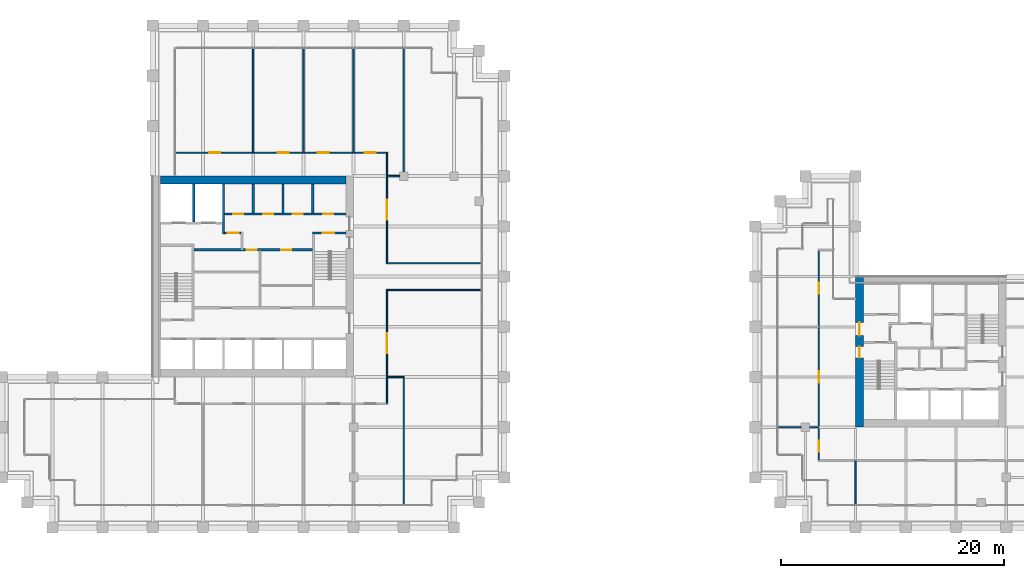
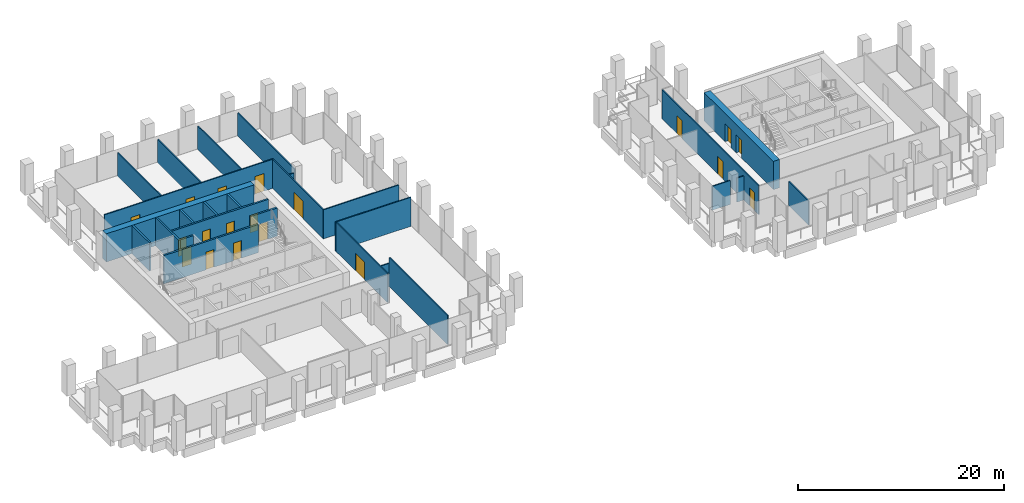
# One storey, part 42 of 46: 27 walls, 19 doors, 19 openings.
"""IFC4 building model written with IfcOpenShell, lengths in metres."""

from ifc_helpers import new_model, si_unit, direction, frame, frame_2d, origin, place, context, subcontext, project, spatial, rectangle, extrude, material, layer, layer_set, type_object, element, fill, save


model = new_model("IFC4")

# Units and contexts
model_context = context("Model", 3, precision=1e-05, world=origin(), true_north=direction((0.0, 1.0)))
body_context = subcontext(model_context, "Body", "Model", "MODEL_VIEW")
ifc_project = project(units=[si_unit("LENGTHUNIT", "METRE"), si_unit("AREAUNIT", "SQUARE_METRE"), si_unit("VOLUMEUNIT", "CUBIC_METRE"), si_unit("PLANEANGLEUNIT", "RADIAN"), si_unit("MASSUNIT", "GRAM", prefix="KILO")], contexts=[model_context])

# Site, building, storey
site_placement = place(None, origin())
site = spatial("IfcSite", under=ifc_project, at=site_placement, CompositionType="ELEMENT")
building_placement = place(site_placement, origin())
building = spatial("IfcBuilding", under=site, at=building_placement, Name="Altepetl Exchange Towers", CompositionType="ELEMENT")
storey_placement = place(building_placement, frame((0.0, 0.0, 120.800048828125)))
storey = spatial("IfcBuildingStorey", under=building, at=storey_placement, Name="L29", CompositionType="ELEMENT", Elevation=120.800048828125)

# Wall
ifc_material_1 = material(Name="Concrete C70/85", Category="concrete")
ifc_layer_1 = layer(ifc_material_1, 0.699951171875)
ifc_layer_set_1 = layer_set([ifc_layer_1], Name="Concrete C70/85")
wall_type_1 = type_object("IfcWallType", Name="Core wall 700 reinforced concrete", PredefinedType="SHEAR", material=ifc_layer_set_1)
wall_1_placement = place(storey_placement, frame((41.199951171875, 58.14990234375, 0.0)))
element("IfcWall", 1, at=wall_1_placement, inside=storey, type_object=wall_type_1, Name="wall:A:L29:K-coreN", PredefinedType="SHEAR", context=body_context, shape_type="SweptSolid", body=[
    extrude(rectangle(XDim=16.60009765625, YDim=0.699951171875, at=frame_2d((8.300048828125, 0.0))), origin(), (0.0, 0.0, 1.0), 3.349853515625),
])

# Wall, openings, doors
wall_2_placement = place(storey_placement, frame((103.85009765625, 36.0, 0.0), z_axis=(0.0, 0.0, 1.0), x_axis=(0.0, 1.0, 0.0)))
wall_2 = element("IfcWall", 2, at=wall_2_placement, inside=storey, type_object=wall_type_1, Name="wall:B:L29:K-coreW", PredefinedType="SHEAR", context=body_context, shape_type="SweptSolid", body=[
    extrude(rectangle(XDim=13.5, YDim=0.699951171875, at=frame_2d((6.75, 0.0))), origin(), (0.0, 0.0, 1.0), 3.349853515625),
])
opening_1_placement = place(wall_2_placement, frame((8.199951171875, 0.0, 0.0)))
opening_1 = element("IfcOpeningElement", 3, at=opening_1_placement, cuts=wall_2, Name="Opening L29.B60", PredefinedType="OPENING", context=body_context, shape_type="SweptSolid", body=[
    extrude(rectangle(XDim=1.199951171875, YDim=2.10009765625, at=frame_2d((0.60009765625, 1.050048828125))), frame((0.0, 0.35986328125, 0.0), z_axis=(0.0, -1.0, 0.0), x_axis=(1.0, 0.0, 0.0)), (0.0, 0.0, 1.0), 0.719970703125),
])
opening_2_placement = place(wall_2_placement, frame((6.22509765625, 0.0, 0.0)))
opening_2 = element("IfcOpeningElement", 4, at=opening_2_placement, cuts=wall_2, Name="Opening L29.B63", PredefinedType="OPENING", context=body_context, shape_type="SweptSolid", body=[
    extrude(rectangle(XDim=1.0, YDim=2.10009765625, at=frame_2d((0.5, 1.050048828125))), frame((0.0, 0.35986328125, 0.0), z_axis=(0.0, -1.0, 0.0), x_axis=(1.0, 0.0, 0.0)), (0.0, 0.0, 1.0), 0.719970703125),
])
ifc_material_2 = material(Name="Steel and timber fire door", Category="steel")
door_type_1 = type_object("IfcDoorType", Name="Fire door 1000 x 2100 stair and lobby", OperationType="SINGLE_SWING_LEFT", PredefinedType="DOOR", material=ifc_material_2)
door_1_placement = place(opening_2_placement, frame((1.0, 0.0, 0.0), x_axis=(-1.0, 0.0, 0.0)))
door_1 = element("IfcDoor", 5, at=door_1_placement, inside=storey, type_object=door_type_1, Name="door:B:L29:K-dS1x", OperationType="SINGLE_SWING_RIGHT", OverallHeight=2.10009765625, OverallWidth=1.0, PredefinedType="DOOR", context=body_context, shape_type="SweptSolid", body=[
    extrude(rectangle(XDim=1.0, YDim=2.10009765625, at=frame_2d((0.5, 1.050048828125))), frame((0.0, 0.02490234375, 0.0), z_axis=(0.0, -1.0, 0.0), x_axis=(1.0, 0.0, 0.0)), (0.0, 0.0, 1.0), 0.050048828125),
])
fill(opening_2, door_1)
door_type_2 = type_object("IfcDoorType", Name="Fire door 1200 x 2100 lobby entry", OperationType="SINGLE_SWING_LEFT", PredefinedType="DOOR", material=ifc_material_2)
door_2_placement = place(opening_1_placement, frame((1.199951171875, 0.0, 0.0), x_axis=(-1.0, 0.0, 0.0)))
door_2 = element("IfcDoor", 6, at=door_2_placement, inside=storey, type_object=door_type_2, Name="door:B:L29:K-dLNW", OperationType="SINGLE_SWING_RIGHT", OverallHeight=2.10009765625, OverallWidth=1.199951171875, PredefinedType="DOOR", context=body_context, shape_type="SweptSolid", body=[
    extrude(rectangle(XDim=1.199951171875, YDim=2.10009765625, at=frame_2d((0.60009765625, 1.050048828125))), frame((0.0, 0.02490234375, 0.0), z_axis=(0.0, -1.0, 0.0), x_axis=(1.0, 0.0, 0.0)), (0.0, 0.0, 1.0), 0.050048828125),
])
fill(opening_1, door_2)

# Wall, opening, door
ifc_material_3 = material(Name="Concrete blockwork", Category="masonry")
ifc_layer_2 = layer(ifc_material_3, 0.199951171875)
ifc_layer_set_2 = layer_set([ifc_layer_2], Name="Concrete blockwork")
wall_type_2 = type_object("IfcWallType", Name="Lobby wall 200 blockwork", PredefinedType="PARTITIONING", material=ifc_layer_set_2)
wall_3_placement = place(storey_placement, frame((46.933349609375, 53.39990234375, 0.0)))
wall_3 = element("IfcWall", 7, at=wall_3_placement, inside=storey, type_object=wall_type_2, Name="wall:A:L29:K-ffN", PredefinedType="PARTITIONING", context=body_context, shape_type="SweptSolid", body=[
    extrude(rectangle(XDim=1.466552734375, YDim=0.199951171875, at=frame_2d((0.7333984375, 0.0))), origin(), (0.0, 0.0, 1.0), 3.349853515625),
])
opening_3_placement = place(wall_3_placement, frame((0.2666015625, 0.0, 0.0)))
opening_3 = element("IfcOpeningElement", 8, at=opening_3_placement, cuts=wall_3, Name="Opening L29.A65", PredefinedType="OPENING", context=body_context, shape_type="SweptSolid", body=[
    extrude(rectangle(XDim=1.0, YDim=2.10009765625, at=frame_2d((0.5, 1.050048828125))), frame((0.0, 0.10986328125, 0.0), z_axis=(0.0, -1.0, 0.0), x_axis=(1.0, 0.0, 0.0)), (0.0, 0.0, 1.0), 0.219970703125),
])
door_3_placement = place(opening_3_placement, frame((1.0, 0.0, 0.0), x_axis=(-1.0, 0.0, 0.0)))
door_3 = element("IfcDoor", 9, at=door_3_placement, inside=storey, type_object=door_type_1, Name="door:A:L29:K-dffN", OperationType="SINGLE_SWING_RIGHT", OverallHeight=2.10009765625, OverallWidth=1.0, PredefinedType="DOOR", context=body_context, shape_type="SweptSolid", body=[
    extrude(rectangle(XDim=1.0, YDim=2.10009765625, at=frame_2d((0.5, 1.050048828125))), frame((0.0, 0.02490234375, 0.0), z_axis=(0.0, -1.0, 0.0), x_axis=(1.0, 0.0, 0.0)), (0.0, 0.0, 1.0), 0.050048828125),
])
fill(opening_3, door_3)

# Wall, openings, doors
wall_4_placement = place(storey_placement, frame((44.199951171875, 51.89990234375, 0.0)))
wall_4 = element("IfcWall", 10, at=wall_4_placement, inside=storey, type_object=wall_type_2, Name="wall:A:L29:K-zoneN", PredefinedType="PARTITIONING", context=body_context, shape_type="SweptSolid", body=[
    extrude(rectangle(XDim=10.60009765625, YDim=0.199951171875, at=frame_2d((5.300048828125, 0.0))), origin(), (0.0, 0.0, 1.0), 3.349853515625),
])
opening_4_placement = place(wall_4_placement, frame((4.72509765625, 0.0, 0.0)))
opening_4 = element("IfcOpeningElement", 11, at=opening_4_placement, cuts=wall_4, Name="Opening L29.A71", PredefinedType="OPENING", context=body_context, shape_type="SweptSolid", body=[
    extrude(rectangle(XDim=0.89990234375, YDim=2.10009765625, at=frame_2d((0.449951171875, 1.050048828125))), frame((0.0, 0.10986328125, 0.0), z_axis=(0.0, -1.0, 0.0), x_axis=(1.0, 0.0, 0.0)), (0.0, 0.0, 1.0), 0.219970703125),
])
opening_5_placement = place(wall_4_placement, frame((7.800048828125, 0.0, 0.0)))
opening_5 = element("IfcOpeningElement", 12, at=opening_5_placement, cuts=wall_4, Name="Opening L29.A73", PredefinedType="OPENING", context=body_context, shape_type="SweptSolid", body=[
    extrude(rectangle(XDim=0.89990234375, YDim=2.10009765625, at=frame_2d((0.449951171875, 1.050048828125))), frame((0.0, 0.10986328125, 0.0), z_axis=(0.0, -1.0, 0.0), x_axis=(1.0, 0.0, 0.0)), (0.0, 0.0, 1.0), 0.219970703125),
])
door_type_3 = type_object("IfcDoorType", Name="Fire door 900 x 2100 service room", OperationType="SINGLE_SWING_LEFT", PredefinedType="DOOR", material=ifc_material_2)
door_4_placement = place(opening_4_placement, frame((0.89990234375, 0.0, 0.0), x_axis=(-1.0, 0.0, 0.0)))
door_4 = element("IfcDoor", 13, at=door_4_placement, inside=storey, type_object=door_type_3, Name="door:A:L29:K-dz2", OperationType="SINGLE_SWING_RIGHT", OverallHeight=2.10009765625, OverallWidth=0.89990234375, PredefinedType="DOOR", context=body_context, shape_type="SweptSolid", body=[
    extrude(rectangle(XDim=0.89990234375, YDim=2.10009765625, at=frame_2d((0.449951171875, 1.050048828125))), frame((0.0, 0.02490234375, 0.0), z_axis=(0.0, -1.0, 0.0), x_axis=(1.0, 0.0, 0.0)), (0.0, 0.0, 1.0), 0.050048828125),
])
fill(opening_4, door_4)
door_5_placement = place(opening_5_placement, frame((0.89990234375, 0.0, 0.0), x_axis=(-1.0, 0.0, 0.0)))
door_5 = element("IfcDoor", 14, at=door_5_placement, inside=storey, type_object=door_type_3, Name="door:A:L29:K-dz4", OperationType="SINGLE_SWING_LEFT", OverallHeight=2.10009765625, OverallWidth=0.89990234375, PredefinedType="DOOR", context=body_context, shape_type="SweptSolid", body=[
    extrude(rectangle(XDim=0.89990234375, YDim=2.10009765625, at=frame_2d((0.449951171875, 1.050048828125))), frame((0.0, 0.02490234375, 0.0), z_axis=(0.0, -1.0, 0.0), x_axis=(1.0, 0.0, 0.0)), (0.0, 0.0, 1.0), 0.050048828125),
])
fill(opening_5, door_5)

# Walls
ifc_material_4 = material(Name="Gypsum board on steel studs", Category="steel")
ifc_layer_3 = layer(ifc_material_4, 0.125)
ifc_layer_set_3 = layer_set([ifc_layer_3], Name="Gypsum board on steel studs")
wall_type_3 = type_object("IfcWallType", Name="Partition 125 gypsum board on steel studs", PredefinedType="PARTITIONING", material=ifc_layer_set_3)
wall_5_placement = place(storey_placement, frame((61.5, 40.5, 0.0)))
element("IfcWall", 15, at=wall_5_placement, inside=storey, type_object=wall_type_3, Name="wall:A:L29:P02", PredefinedType="PARTITIONING", context=body_context, shape_type="SweptSolid", body=[
    extrude(rectangle(XDim=1.5625, YDim=0.125, at=frame_2d((0.78125, 0.0))), origin(), (0.0, 0.0, 1.0), 2.765869140625),
])
for number, where, name in (
    (16, (61.4375, 48.300048828125, 0.0), "wall:A:L29:P03"),
    (17, (61.4375, 50.699951171875, 0.0), "wall:A:L29:P04"),
):
    element("IfcWall", number, at=place(storey_placement, frame(where)), inside=storey, type_object=wall_type_3, Name=name, PredefinedType="PARTITIONING", context=body_context, shape_type="SweptSolid", body=[
        extrude(rectangle(XDim=8.46240234375, YDim=0.125, at=frame_2d((4.231201171875, 0.0))), origin(), (0.0, 0.0, 1.0), 3.449951171875),
    ])
wall_6_placement = place(storey_placement, frame((61.5, 58.5, 0.0)))
element("IfcWall", 18, at=wall_6_placement, inside=storey, type_object=wall_type_3, Name="wall:A:L29:P05", PredefinedType="PARTITIONING", context=body_context, shape_type="SweptSolid", body=[
    extrude(rectangle(XDim=1.125, YDim=0.125, at=frame_2d((0.5625, 0.0))), origin(), (0.0, 0.0, 1.0), 2.676025390625),
])

# Wall, openings, doors
wall_7_placement = place(storey_placement, frame((42.60009765625, 60.60009765625, 0.0)))
wall_7 = element("IfcWall", 19, at=wall_7_placement, inside=storey, type_object=wall_type_3, Name="wall:A:L29:P06", PredefinedType="PARTITIONING", context=body_context, shape_type="SweptSolid", body=[
    extrude(rectangle(XDim=18.96240234375, YDim=0.125, at=frame_2d((9.481201171875, 0.0))), origin(), (0.0, 0.0, 1.0), 3.449951171875),
])
opening_6_placement = place(wall_7_placement, frame((16.89990234375, 0.0, 0.0)))
opening_6 = element("IfcOpeningElement", 20, at=opening_6_placement, cuts=wall_7, Name="Opening L29.A07", PredefinedType="OPENING", context=body_context, shape_type="SweptSolid", body=[
    extrude(rectangle(XDim=1.0, YDim=2.10009765625, at=frame_2d((0.5, 1.050048828125))), frame((0.0, 0.072509765625, 0.0), z_axis=(0.0, -1.0, 0.0), x_axis=(1.0, 0.0, 0.0)), (0.0, 0.0, 1.0), 0.14501953125),
])
opening_7_placement = place(wall_7_placement, frame((12.695068359375, 0.0, 0.0)))
opening_7 = element("IfcOpeningElement", 21, at=opening_7_placement, cuts=wall_7, Name="Opening L29.A08", PredefinedType="OPENING", context=body_context, shape_type="SweptSolid", body=[
    extrude(rectangle(XDim=1.0, YDim=2.10009765625, at=frame_2d((0.5, 1.050048828125))), frame((0.0, 0.072509765625, 0.0), z_axis=(0.0, -1.0, 0.0), x_axis=(1.0, 0.0, 0.0)), (0.0, 0.0, 1.0), 0.14501953125),
])
opening_8_placement = place(wall_7_placement, frame((9.10498046875, 0.0, 0.0)))
opening_8 = element("IfcOpeningElement", 22, at=opening_8_placement, cuts=wall_7, Name="Opening L29.A09", PredefinedType="OPENING", context=body_context, shape_type="SweptSolid", body=[
    extrude(rectangle(XDim=1.0, YDim=2.10009765625, at=frame_2d((0.5, 1.050048828125))), frame((0.0, 0.072509765625, 0.0), z_axis=(0.0, -1.0, 0.0), x_axis=(1.0, 0.0, 0.0)), (0.0, 0.0, 1.0), 0.14501953125),
])
opening_9_placement = place(wall_7_placement, frame((2.949951171875, 0.0, 0.0)))
opening_9 = element("IfcOpeningElement", 23, at=opening_9_placement, cuts=wall_7, Name="Opening L29.A10", PredefinedType="OPENING", context=body_context, shape_type="SweptSolid", body=[
    extrude(rectangle(XDim=1.0, YDim=2.10009765625, at=frame_2d((0.5, 1.050048828125))), frame((0.0, 0.072509765625, 0.0), z_axis=(0.0, -1.0, 0.0), x_axis=(1.0, 0.0, 0.0)), (0.0, 0.0, 1.0), 0.14501953125),
])
door_type_4 = type_object("IfcDoorType", Name="Fire door 1000 x 2100 single leaf", OperationType="SINGLE_SWING_LEFT", PredefinedType="DOOR", material=ifc_material_2)
door_6_placement = place(opening_6_placement, origin())
door_6 = element("IfcDoor", 24, at=door_6_placement, inside=storey, type_object=door_type_4, Name="door:A:L29:07", OperationType="SINGLE_SWING_RIGHT", OverallHeight=2.10009765625, OverallWidth=1.0, PredefinedType="DOOR", context=body_context, shape_type="SweptSolid", body=[
    extrude(rectangle(XDim=1.0, YDim=2.10009765625, at=frame_2d((0.5, 1.050048828125))), frame((0.0, 0.02490234375, 0.0), z_axis=(0.0, -1.0, 0.0), x_axis=(1.0, 0.0, 0.0)), (0.0, 0.0, 1.0), 0.050048828125),
])
fill(opening_6, door_6)
door_7_placement = place(opening_7_placement, origin())
door_7 = element("IfcDoor", 25, at=door_7_placement, inside=storey, type_object=door_type_4, Name="door:A:L29:08", OperationType="SINGLE_SWING_LEFT", OverallHeight=2.10009765625, OverallWidth=1.0, PredefinedType="DOOR", context=body_context, shape_type="SweptSolid", body=[
    extrude(rectangle(XDim=1.0, YDim=2.10009765625, at=frame_2d((0.5, 1.050048828125))), frame((0.0, 0.02490234375, 0.0), z_axis=(0.0, -1.0, 0.0), x_axis=(1.0, 0.0, 0.0)), (0.0, 0.0, 1.0), 0.050048828125),
])
fill(opening_7, door_7)
door_8_placement = place(opening_8_placement, origin())
door_8 = element("IfcDoor", 26, at=door_8_placement, inside=storey, type_object=door_type_4, Name="door:A:L29:09", OperationType="SINGLE_SWING_RIGHT", OverallHeight=2.10009765625, OverallWidth=1.0, PredefinedType="DOOR", context=body_context, shape_type="SweptSolid", body=[
    extrude(rectangle(XDim=1.0, YDim=2.10009765625, at=frame_2d((0.5, 1.050048828125))), frame((0.0, 0.02490234375, 0.0), z_axis=(0.0, -1.0, 0.0), x_axis=(1.0, 0.0, 0.0)), (0.0, 0.0, 1.0), 0.050048828125),
])
fill(opening_8, door_8)
door_9_placement = place(opening_9_placement, origin())
door_9 = element("IfcDoor", 27, at=door_9_placement, inside=storey, type_object=door_type_4, Name="door:A:L29:10", OperationType="SINGLE_SWING_RIGHT", OverallHeight=2.10009765625, OverallWidth=1.0, PredefinedType="DOOR", context=body_context, shape_type="SweptSolid", body=[
    extrude(rectangle(XDim=1.0, YDim=2.10009765625, at=frame_2d((0.5, 1.050048828125))), frame((0.0, 0.02490234375, 0.0), z_axis=(0.0, -1.0, 0.0), x_axis=(1.0, 0.0, 0.0)), (0.0, 0.0, 1.0), 0.050048828125),
])
fill(opening_9, door_9)

# Walls
for number, where, z_axis, x_axis, name in (
    (28, (49.5, 60.60009765625, 0.0), (0.0, 0.0, 1.0), (0.0, 1.0, 0.0), "wall:A:L29:P09"),
    (29, (54.0, 60.60009765625, 0.0), (0.0, 0.0, 1.0), (0.0, 1.0, 0.0), "wall:A:L29:P11"),
    (30, (58.5, 60.60009765625, 0.0), (0.0, 0.0, 1.0), (0.0, 1.0, 0.0), "wall:A:L29:P15"),
):
    element("IfcWall", number, at=place(storey_placement, frame(where, z_axis=z_axis, x_axis=x_axis)), inside=storey, type_object=wall_type_3, Name=name, PredefinedType="PARTITIONING", context=body_context, shape_type="SweptSolid", body=[
        extrude(rectangle(XDim=9.2998046875, YDim=0.125, at=frame_2d((4.64990234375, 0.0))), origin(), (0.0, 0.0, 1.0), 2.765869140625),
    ])

# Wall, opening, door
wall_8_placement = place(storey_placement, frame((61.5, 38.16259765625, 0.0), z_axis=(0.0, 0.0, 1.0), x_axis=(0.0, 1.0, 0.0)))
wall_8 = element("IfcWall", 31, at=wall_8_placement, inside=storey, type_object=wall_type_3, Name="wall:A:L29:P16", PredefinedType="PARTITIONING", context=body_context, shape_type="SweptSolid", body=[
    extrude(rectangle(XDim=10.074951171875, YDim=0.125, at=frame_2d((5.03759765625, 0.0))), origin(), (0.0, 0.0, 1.0), 3.449951171875),
])
opening_10_placement = place(wall_8_placement, frame((4.445556640625, 0.0, 0.0)))
opening_10 = element("IfcOpeningElement", 32, at=opening_10_placement, cuts=wall_8, Name="Opening L29.A05", PredefinedType="OPENING", context=body_context, shape_type="SweptSolid", body=[
    extrude(rectangle(XDim=1.800048828125, YDim=2.10009765625, at=frame_2d((0.89990234375, 1.050048828125))), frame((0.0, 0.072509765625, 0.0), z_axis=(0.0, -1.0, 0.0), x_axis=(1.0, 0.0, 0.0)), (0.0, 0.0, 1.0), 0.14501953125),
])
door_type_5 = type_object("IfcDoorType", Name="Fire door 1800 x 2100 double leaf", OperationType="DOUBLE_DOOR_SINGLE_SWING", PredefinedType="DOOR", material=ifc_material_2)
door_10_placement = place(opening_10_placement, frame((1.800048828125, 0.0, 0.0), x_axis=(-1.0, 0.0, 0.0)))
door_10 = element("IfcDoor", 33, at=door_10_placement, inside=storey, type_object=door_type_5, Name="door:A:L29:05", OperationType="DOUBLE_DOOR_SINGLE_SWING", OverallHeight=2.10009765625, OverallWidth=1.800048828125, PredefinedType="DOOR", context=body_context, shape_type="SweptSolid", body=[
    extrude(rectangle(XDim=1.800048828125, YDim=2.10009765625, at=frame_2d((0.89990234375, 1.050048828125))), frame((0.0, 0.02490234375, 0.0), z_axis=(0.0, -1.0, 0.0), x_axis=(1.0, 0.0, 0.0)), (0.0, 0.0, 1.0), 0.050048828125),
])
fill(opening_10, door_10)

wall_9_placement = place(storey_placement, frame((61.5, 50.762451171875, 0.0), z_axis=(0.0, 0.0, 1.0), x_axis=(0.0, 1.0, 0.0)))
wall_9 = element("IfcWall", 34, at=wall_9_placement, inside=storey, type_object=wall_type_3, Name="wall:A:L29:P17", PredefinedType="PARTITIONING", context=body_context, shape_type="SweptSolid", body=[
    extrude(rectangle(XDim=9.775146484375, YDim=0.125, at=frame_2d((4.8876953125, 0.0))), origin(), (0.0, 0.0, 1.0), 3.449951171875),
])
opening_11_placement = place(wall_9_placement, frame((3.82958984375, 0.0, 0.0)))
opening_11 = element("IfcOpeningElement", 35, at=opening_11_placement, cuts=wall_9, Name="Opening L29.A06", PredefinedType="OPENING", context=body_context, shape_type="SweptSolid", body=[
    extrude(rectangle(XDim=1.800048828125, YDim=2.10009765625, at=frame_2d((0.89990234375, 1.050048828125))), frame((0.0, 0.072509765625, 0.0), z_axis=(0.0, -1.0, 0.0), x_axis=(1.0, 0.0, 0.0)), (0.0, 0.0, 1.0), 0.14501953125),
])
door_11_placement = place(opening_11_placement, frame((1.800048828125, 0.0, 0.0), x_axis=(-1.0, 0.0, 0.0)))
door_11 = element("IfcDoor", 36, at=door_11_placement, inside=storey, type_object=door_type_5, Name="door:A:L29:06", OperationType="DOUBLE_DOOR_SINGLE_SWING", OverallHeight=2.10009765625, OverallWidth=1.800048828125, PredefinedType="DOOR", context=body_context, shape_type="SweptSolid", body=[
    extrude(rectangle(XDim=1.800048828125, YDim=2.10009765625, at=frame_2d((0.89990234375, 1.050048828125))), frame((0.0, 0.02490234375, 0.0), z_axis=(0.0, -1.0, 0.0), x_axis=(1.0, 0.0, 0.0)), (0.0, 0.0, 1.0), 0.050048828125),
])
fill(opening_11, door_11)

# Walls
wall_10_placement = place(storey_placement, frame((63.0, 29.10009765625, 0.0), z_axis=(0.0, 0.0, 1.0), x_axis=(0.0, 1.0, 0.0)))
element("IfcWall", 37, at=wall_10_placement, inside=storey, type_object=wall_type_3, Name="wall:A:L29:P18", PredefinedType="PARTITIONING", context=body_context, shape_type="SweptSolid", body=[
    extrude(rectangle(XDim=11.33740234375, YDim=0.125, at=frame_2d((5.668701171875, 0.0))), origin(), (0.0, 0.0, 1.0), 3.449951171875),
])
wall_11_placement = place(storey_placement, frame((63.0, 58.875, 0.0), z_axis=(0.0, 0.0, 1.0), x_axis=(0.0, 1.0, 0.0)))
element("IfcWall", 38, at=wall_11_placement, inside=storey, type_object=wall_type_3, Name="wall:A:L29:P19", PredefinedType="PARTITIONING", context=body_context, shape_type="SweptSolid", body=[
    extrude(rectangle(XDim=11.02490234375, YDim=0.125, at=frame_2d((5.512451171875, 0.0))), origin(), (0.0, 0.0, 1.0), 2.765869140625),
])
wall_12_placement = place(storey_placement, frame((96.60009765625, 36.0, 0.0)))
element("IfcWall", 39, at=wall_12_placement, inside=storey, type_object=wall_type_3, Name="wall:B:L29:P02", PredefinedType="PARTITIONING", context=body_context, shape_type="SweptSolid", body=[
    extrude(rectangle(XDim=2.02490234375, YDim=0.125, at=frame_2d((1.012451171875, 0.0))), origin(), (0.0, 0.0, 1.0), 2.842041015625),
])
wall_13_placement = place(storey_placement, frame((99.375, 36.0, 0.0)))
element("IfcWall", 40, at=wall_13_placement, inside=storey, type_object=wall_type_3, Name="wall:B:L29:P03", PredefinedType="PARTITIONING", context=body_context, shape_type="SweptSolid", body=[
    extrude(rectangle(XDim=0.824951171875, YDim=0.125, at=frame_2d((0.41259765625, 0.0))), origin(), (0.0, 0.0, 1.0), 2.842041015625),
])

# Wall, openings, doors
wall_14_placement = place(storey_placement, frame((100.199951171875, 33.0625, 0.0), z_axis=(0.0, 0.0, 1.0), x_axis=(0.0, 1.0, 0.0)))
wall_14 = element("IfcWall", 41, at=wall_14_placement, inside=storey, type_object=wall_type_3, Name="wall:B:L29:P07", PredefinedType="PARTITIONING", context=body_context, shape_type="SweptSolid", body=[
    extrude(rectangle(XDim=18.77490234375, YDim=0.125, at=frame_2d((9.387451171875, 0.0))), origin(), (0.0, 0.0, 1.0), 3.449951171875),
])
opening_12_placement = place(wall_14_placement, frame((6.9375, 0.0, 0.0)))
opening_12 = element("IfcOpeningElement", 42, at=opening_12_placement, cuts=wall_14, Name="Opening L29.B01", PredefinedType="OPENING", context=body_context, shape_type="SweptSolid", body=[
    extrude(rectangle(XDim=1.0, YDim=2.10009765625, at=frame_2d((0.5, 1.050048828125))), frame((0.0, 0.072509765625, 0.0), z_axis=(0.0, -1.0, 0.0), x_axis=(1.0, 0.0, 0.0)), (0.0, 0.0, 1.0), 0.14501953125),
])
opening_13_placement = place(wall_14_placement, frame((0.744384765625, 0.0, 0.0)))
opening_13 = element("IfcOpeningElement", 43, at=opening_13_placement, cuts=wall_14, Name="Opening L29.B02", PredefinedType="OPENING", context=body_context, shape_type="SweptSolid", body=[
    extrude(rectangle(XDim=1.0, YDim=2.10009765625, at=frame_2d((0.5, 1.050048828125))), frame((0.0, 0.072509765625, 0.0), z_axis=(0.0, -1.0, 0.0), x_axis=(1.0, 0.0, 0.0)), (0.0, 0.0, 1.0), 0.14501953125),
])
opening_14_placement = place(wall_14_placement, frame((14.887451171875, 0.0, 0.0)))
opening_14 = element("IfcOpeningElement", 44, at=opening_14_placement, cuts=wall_14, Name="Opening L29.B07", PredefinedType="OPENING", context=body_context, shape_type="SweptSolid", body=[
    extrude(rectangle(XDim=1.0, YDim=2.10009765625, at=frame_2d((0.5, 1.050048828125))), frame((0.0, 0.072509765625, 0.0), z_axis=(0.0, -1.0, 0.0), x_axis=(1.0, 0.0, 0.0)), (0.0, 0.0, 1.0), 0.14501953125),
])
door_12_placement = place(opening_12_placement, origin())
door_12 = element("IfcDoor", 45, at=door_12_placement, inside=storey, type_object=door_type_4, Name="door:B:L29:01", OperationType="SINGLE_SWING_RIGHT", OverallHeight=2.10009765625, OverallWidth=1.0, PredefinedType="DOOR", context=body_context, shape_type="SweptSolid", body=[
    extrude(rectangle(XDim=1.0, YDim=2.10009765625, at=frame_2d((0.5, 1.050048828125))), frame((0.0, 0.02490234375, 0.0), z_axis=(0.0, -1.0, 0.0), x_axis=(1.0, 0.0, 0.0)), (0.0, 0.0, 1.0), 0.050048828125),
])
fill(opening_12, door_12)
door_13_placement = place(opening_13_placement, frame((1.0, 0.0, 0.0), x_axis=(-1.0, 0.0, 0.0)))
door_13 = element("IfcDoor", 46, at=door_13_placement, inside=storey, type_object=door_type_4, Name="door:B:L29:02", OperationType="SINGLE_SWING_RIGHT", OverallHeight=2.10009765625, OverallWidth=1.0, PredefinedType="DOOR", context=body_context, shape_type="SweptSolid", body=[
    extrude(rectangle(XDim=1.0, YDim=2.10009765625, at=frame_2d((0.5, 1.050048828125))), frame((0.0, 0.02490234375, 0.0), z_axis=(0.0, -1.0, 0.0), x_axis=(1.0, 0.0, 0.0)), (0.0, 0.0, 1.0), 0.050048828125),
])
fill(opening_13, door_13)
door_14_placement = place(opening_14_placement, origin())
door_14 = element("IfcDoor", 47, at=door_14_placement, inside=storey, type_object=door_type_4, Name="door:B:L29:07", OperationType="SINGLE_SWING_LEFT", OverallHeight=2.10009765625, OverallWidth=1.0, PredefinedType="DOOR", context=body_context, shape_type="SweptSolid", body=[
    extrude(rectangle(XDim=1.0, YDim=2.10009765625, at=frame_2d((0.5, 1.050048828125))), frame((0.0, 0.02490234375, 0.0), z_axis=(0.0, -1.0, 0.0), x_axis=(1.0, 0.0, 0.0)), (0.0, 0.0, 1.0), 0.050048828125),
])
fill(opening_14, door_14)

# Walls
wall_15_placement = place(storey_placement, frame((103.5, 29.10009765625, 0.0), z_axis=(0.0, 0.0, 1.0), x_axis=(0.0, 1.0, 0.0)))
element("IfcWall", 48, at=wall_15_placement, inside=storey, type_object=wall_type_3, Name="wall:B:L29:P08", PredefinedType="PARTITIONING", context=body_context, shape_type="SweptSolid", body=[
    extrude(rectangle(XDim=3.89990234375, YDim=0.125, at=frame_2d((1.949951171875, 0.0))), origin(), (0.0, 0.0, 1.0), 2.850830078125),
])
ifc_material_5 = material(Name="Concrete C40/50", Category="concrete")
ifc_layer_4 = layer(ifc_material_5, 0.199951171875)
ifc_layer_set_4 = layer_set([ifc_layer_4], Name="Concrete C40/50")
wall_type_4 = type_object("IfcWallType", Name="Shaft wall 200 reinforced concrete", PredefinedType="SHEAR", material=ifc_layer_set_4)
wall_16_placement = place(storey_placement, frame((44.166748046875, 57.800048828125, 0.0), z_axis=(0.0, 0.0, 1.0), x_axis=(0.0, -1.0, 0.0)))
element("IfcWall", 49, at=wall_16_placement, inside=storey, type_object=wall_type_4, Name="wall:A:L29:K-divN1", PredefinedType="SHEAR", context=body_context, shape_type="SweptSolid", body=[
    extrude(rectangle(XDim=3.400146484375, YDim=0.199951171875, at=frame_2d((1.7001953125, 0.0))), origin(), (0.0, 0.0, 1.0), 3.349853515625),
])
wall_17_placement = place(storey_placement, frame((46.833251953125, 57.800048828125, 0.0), z_axis=(0.0, 0.0, 1.0), x_axis=(0.0, -1.0, 0.0)))
element("IfcWall", 50, at=wall_17_placement, inside=storey, type_object=wall_type_4, Name="wall:A:L29:K-divN2", PredefinedType="SHEAR", context=body_context, shape_type="SweptSolid", body=[
    extrude(rectangle(XDim=4.5, YDim=0.199951171875, at=frame_2d((2.25, 0.0))), origin(), (0.0, 0.0, 1.0), 3.349853515625),
])
for number, where, z_axis, x_axis, name in (
    (51, (49.5, 57.800048828125, 0.0), (0.0, 0.0, 1.0), (0.0, -1.0, 0.0), "wall:A:L29:K-divN3"),
    (52, (52.166748046875, 57.800048828125, 0.0), (0.0, 0.0, 1.0), (0.0, -1.0, 0.0), "wall:A:L29:K-divN4"),
    (53, (54.833251953125, 57.800048828125, 0.0), (0.0, 0.0, 1.0), (0.0, -1.0, 0.0), "wall:A:L29:K-divN5"),
):
    element("IfcWall", number, at=place(storey_placement, frame(where, z_axis=z_axis, x_axis=x_axis)), inside=storey, type_object=wall_type_4, Name=name, PredefinedType="SHEAR", context=body_context, shape_type="SweptSolid", body=[
        extrude(rectangle(XDim=2.60009765625, YDim=0.199951171875, at=frame_2d((1.300048828125, 0.0))), origin(), (0.0, 0.0, 1.0), 3.349853515625),
    ])

# Wall, openings, doors
wall_18_placement = place(storey_placement, frame((46.933349609375, 55.10009765625, 0.0)))
wall_18 = element("IfcWall", 54, at=wall_18_placement, inside=storey, type_object=wall_type_4, Name="wall:A:L29:K-frontNb", PredefinedType="SHEAR", context=body_context, shape_type="SweptSolid", body=[
    extrude(rectangle(XDim=10.86669921875, YDim=0.199951171875, at=frame_2d((5.433349609375, 0.0))), origin(), (0.0, 0.0, 1.0), 3.349853515625),
])
opening_15_placement = place(wall_18_placement, frame((8.83349609375, 0.0, 0.0)))
opening_15 = element("IfcOpeningElement", 55, at=opening_15_placement, cuts=wall_18, Name="Opening L29.A66", PredefinedType="OPENING", context=body_context, shape_type="SweptSolid", body=[
    extrude(rectangle(XDim=0.89990234375, YDim=2.10009765625, at=frame_2d((0.449951171875, 1.050048828125))), frame((0.0, 0.10986328125, 0.0), z_axis=(0.0, -1.0, 0.0), x_axis=(1.0, 0.0, 0.0)), (0.0, 0.0, 1.0), 0.219970703125),
])
opening_16_placement = place(wall_18_placement, frame((0.783447265625, 0.0, 0.0)))
opening_16 = element("IfcOpeningElement", 56, at=opening_16_placement, cuts=wall_18, Name="Opening L29.A67", PredefinedType="OPENING", context=body_context, shape_type="SweptSolid", body=[
    extrude(rectangle(XDim=0.89990234375, YDim=2.10009765625, at=frame_2d((0.449951171875, 1.050048828125))), frame((0.0, 0.10986328125, 0.0), z_axis=(0.0, -1.0, 0.0), x_axis=(1.0, 0.0, 0.0)), (0.0, 0.0, 1.0), 0.219970703125),
])
opening_17_placement = place(wall_18_placement, frame((3.449951171875, 0.0, 0.0)))
opening_17 = element("IfcOpeningElement", 57, at=opening_17_placement, cuts=wall_18, Name="Opening L29.A68", PredefinedType="OPENING", context=body_context, shape_type="SweptSolid", body=[
    extrude(rectangle(XDim=0.89990234375, YDim=2.10009765625, at=frame_2d((0.449951171875, 1.050048828125))), frame((0.0, 0.10986328125, 0.0), z_axis=(0.0, -1.0, 0.0), x_axis=(1.0, 0.0, 0.0)), (0.0, 0.0, 1.0), 0.219970703125),
])
opening_18_placement = place(wall_18_placement, frame((6.11669921875, 0.0, 0.0)))
opening_18 = element("IfcOpeningElement", 58, at=opening_18_placement, cuts=wall_18, Name="Opening L29.A69", PredefinedType="OPENING", context=body_context, shape_type="SweptSolid", body=[
    extrude(rectangle(XDim=0.89990234375, YDim=2.10009765625, at=frame_2d((0.449951171875, 1.050048828125))), frame((0.0, 0.10986328125, 0.0), z_axis=(0.0, -1.0, 0.0), x_axis=(1.0, 0.0, 0.0)), (0.0, 0.0, 1.0), 0.219970703125),
])
door_15_placement = place(opening_15_placement, origin())
door_15 = element("IfcDoor", 59, at=door_15_placement, inside=storey, type_object=door_type_3, Name="door:A:L29:K-driser", OperationType="SINGLE_SWING_RIGHT", OverallHeight=2.10009765625, OverallWidth=0.89990234375, PredefinedType="DOOR", context=body_context, shape_type="SweptSolid", body=[
    extrude(rectangle(XDim=0.89990234375, YDim=2.10009765625, at=frame_2d((0.449951171875, 1.050048828125))), frame((0.0, 0.02490234375, 0.0), z_axis=(0.0, -1.0, 0.0), x_axis=(1.0, 0.0, 0.0)), (0.0, 0.0, 1.0), 0.050048828125),
])
fill(opening_15, door_15)
door_16_placement = place(opening_16_placement, origin())
door_16 = element("IfcDoor", 60, at=door_16_placement, inside=storey, type_object=door_type_3, Name="door:A:L29:K-dslotN2", OperationType="SINGLE_SWING_RIGHT", OverallHeight=2.10009765625, OverallWidth=0.89990234375, PredefinedType="DOOR", context=body_context, shape_type="SweptSolid", body=[
    extrude(rectangle(XDim=0.89990234375, YDim=2.10009765625, at=frame_2d((0.449951171875, 1.050048828125))), frame((0.0, 0.02490234375, 0.0), z_axis=(0.0, -1.0, 0.0), x_axis=(1.0, 0.0, 0.0)), (0.0, 0.0, 1.0), 0.050048828125),
])
fill(opening_16, door_16)
door_17_placement = place(opening_17_placement, origin())
door_17 = element("IfcDoor", 61, at=door_17_placement, inside=storey, type_object=door_type_3, Name="door:A:L29:K-dslotN3", OperationType="SINGLE_SWING_RIGHT", OverallHeight=2.10009765625, OverallWidth=0.89990234375, PredefinedType="DOOR", context=body_context, shape_type="SweptSolid", body=[
    extrude(rectangle(XDim=0.89990234375, YDim=2.10009765625, at=frame_2d((0.449951171875, 1.050048828125))), frame((0.0, 0.02490234375, 0.0), z_axis=(0.0, -1.0, 0.0), x_axis=(1.0, 0.0, 0.0)), (0.0, 0.0, 1.0), 0.050048828125),
])
fill(opening_17, door_17)
door_18_placement = place(opening_18_placement, origin())
door_18 = element("IfcDoor", 62, at=door_18_placement, inside=storey, type_object=door_type_3, Name="door:A:L29:K-dslotN4", OperationType="SINGLE_SWING_RIGHT", OverallHeight=2.10009765625, OverallWidth=0.89990234375, PredefinedType="DOOR", context=body_context, shape_type="SweptSolid", body=[
    extrude(rectangle(XDim=0.89990234375, YDim=2.10009765625, at=frame_2d((0.449951171875, 1.050048828125))), frame((0.0, 0.02490234375, 0.0), z_axis=(0.0, -1.0, 0.0), x_axis=(1.0, 0.0, 0.0)), (0.0, 0.0, 1.0), 0.050048828125),
])
fill(opening_18, door_18)

# Wall, opening, door
ifc_layer_5 = layer(ifc_material_5, 0.199951171875)
ifc_layer_set_5 = layer_set([ifc_layer_5], Name="Concrete C40/50")
wall_type_5 = type_object("IfcWallType", Name="Stair wall 200 reinforced concrete", PredefinedType="SHEAR", material=ifc_layer_set_5)
wall_19_placement = place(storey_placement, frame((54.800048828125, 53.39990234375, 0.0)))
wall_19 = element("IfcWall", 63, at=wall_19_placement, inside=storey, type_object=wall_type_5, Name="wall:A:L29:K-stS2N", PredefinedType="SHEAR", context=body_context, shape_type="SweptSolid", body=[
    extrude(rectangle(XDim=3.0, YDim=0.199951171875, at=frame_2d((1.5, 0.0))), origin(), (0.0, 0.0, 1.0), 3.349853515625),
])
opening_19_placement = place(wall_19_placement, frame((0.949951171875, 0.0, 0.0)))
opening_19 = element("IfcOpeningElement", 64, at=opening_19_placement, cuts=wall_19, Name="Opening L29.A63", PredefinedType="OPENING", context=body_context, shape_type="SweptSolid", body=[
    extrude(rectangle(XDim=1.0, YDim=2.10009765625, at=frame_2d((0.5, 1.050048828125))), frame((0.0, 0.10986328125, 0.0), z_axis=(0.0, -1.0, 0.0), x_axis=(1.0, 0.0, 0.0)), (0.0, 0.0, 1.0), 0.219970703125),
])
door_19_placement = place(opening_19_placement, frame((1.0, 0.0, 0.0), x_axis=(-1.0, 0.0, 0.0)))
door_19 = element("IfcDoor", 65, at=door_19_placement, inside=storey, type_object=door_type_1, Name="door:A:L29:K-dS2in", OperationType="SINGLE_SWING_LEFT", OverallHeight=2.10009765625, OverallWidth=1.0, PredefinedType="DOOR", context=body_context, shape_type="SweptSolid", body=[
    extrude(rectangle(XDim=1.0, YDim=2.10009765625, at=frame_2d((0.5, 1.050048828125))), frame((0.0, 0.02490234375, 0.0), z_axis=(0.0, -1.0, 0.0), x_axis=(1.0, 0.0, 0.0)), (0.0, 0.0, 1.0), 0.050048828125),
])
fill(opening_19, door_19)

save(model, "model.ifc")
